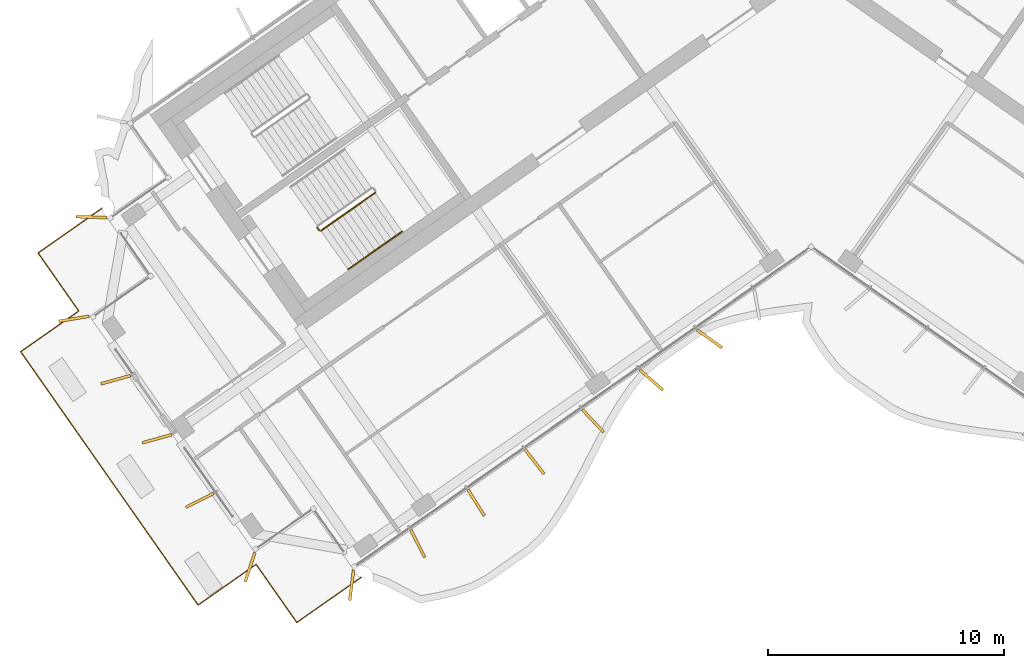
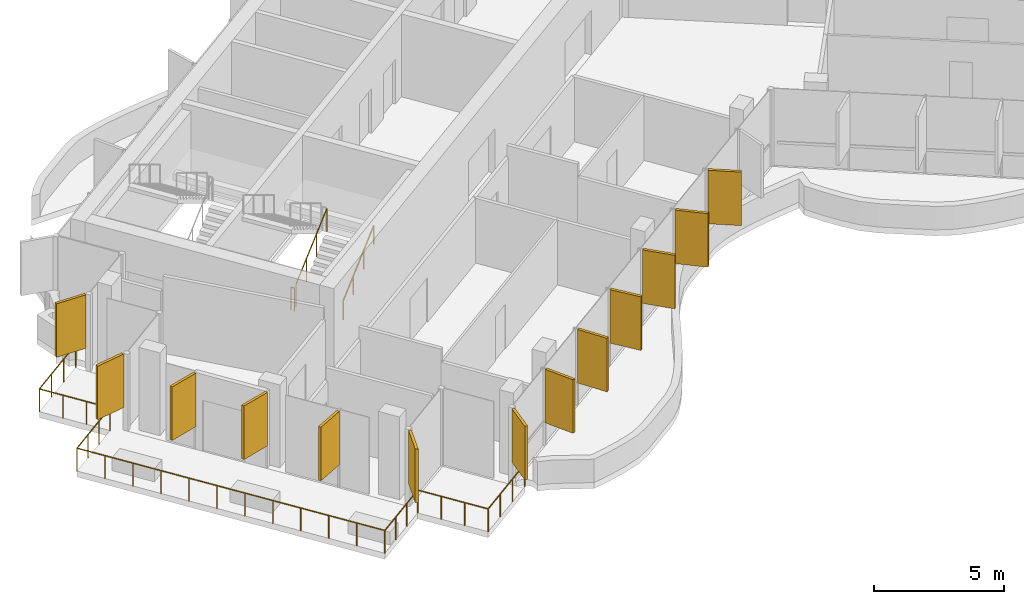
# One storey, part 13 of 18: 13 shading devices, 4 railings.
"""IFC4 building model written with IfcOpenShell, lengths in metres."""

import ifcopenshell
import ifcopenshell.guid

model = None  # the IFC model being written
_history = None  # IfcOwnerHistory: only IFC2X3 demands one
_inside = {}  # id of a spatial element -> (the spatial element, [elements in it])
_under = {}  # id of a project, library or spatial element -> (it, [spatial elements below it])
_declared = {}  # id of a project -> (the project, [libraries it declares])
_typed = {}  # id of a type object -> (the type object, [elements of that type])
_made_of = {}  # id of a material, layer set ... -> (it, [elements and type objects made of it])


def new_model(schema):
    """Start an empty IFC model of exactly this schema.

    Asked for "IFC4X3", IfcOpenShell would pick the latest addendum, in which some entities
    have other attributes; the version numbers below select the first issue.
    IFC2X3 requires an IfcOwnerHistory on every rooted entity: one is made here for all.
    """
    global model, _history
    if schema == "IFC4X3":
        model = ifcopenshell.file(schema_version=(4, 3, 0, 0))
    else:
        model = ifcopenshell.file(schema=schema)
    _inside.clear()
    _under.clear()
    _declared.clear()
    _typed.clear()
    _made_of.clear()
    _history = None
    if model.schema == "IFC2X3":
        org = make("IfcOrganization", Name="unknown")
        user = make(
            "IfcPersonAndOrganization",
            ThePerson=make("IfcPerson", FamilyName="unknown"),
            TheOrganization=org,
        )
        app = make(
            "IfcApplication",
            ApplicationDeveloper=org,
            Version="unknown",
            ApplicationFullName="unknown",
            ApplicationIdentifier="unknown",
        )
        _history = make(
            "IfcOwnerHistory",
            OwningUser=user,
            OwningApplication=app,
            ChangeAction="ADDED",
            CreationDate=0,
        )
    return model


def make(cls, **values):
    """One entity of the class cls with the attributes given. An attribute that is None is left unset."""
    return model.create_entity(
        cls, **{name: value for name, value in values.items() if value is not None}
    )


def rooted(cls, **values):
    """An entity with a GlobalId (a new one), such as an element, a storey or a relation."""
    return make(cls, GlobalId=ifcopenshell.guid.new(), OwnerHistory=_history, **values)


def si_unit(unit_type, name, prefix=None):
    """IfcSIUnit, for example si_unit("LENGTHUNIT", "METRE", prefix="MILLI")."""
    return make("IfcSIUnit", UnitType=unit_type, Prefix=prefix, Name=name)


def assignment(units):
    """IfcUnitAssignment: the units of a project."""
    return None if units is None else make("IfcUnitAssignment", Units=units)


def point(xyz):
    """IfcCartesianPoint."""
    return None if xyz is None else make("IfcCartesianPoint", Coordinates=xyz)


def direction(xyz):
    """IfcDirection."""
    return None if xyz is None else make("IfcDirection", DirectionRatios=xyz)


def frame(location, z_axis=None, x_axis=None):
    """IfcAxis2Placement3D, a coordinate frame: its origin and axes. An axis left out is left unset."""
    return make(
        "IfcAxis2Placement3D",
        Location=point(location),
        Axis=direction(z_axis),
        RefDirection=direction(x_axis),
    )


def frame_2d(location, x_axis=None):
    """IfcAxis2Placement2D, a coordinate frame in the plane: its origin and x axis."""
    return make(
        "IfcAxis2Placement2D", Location=point(location), RefDirection=direction(x_axis)
    )


def origin():
    """The frame at (0, 0, 0) with its axes left unset."""
    return frame((0.0, 0.0, 0.0))


def origin_2d():
    """The frame at (0, 0) in the plane with its x axis left unset."""
    return frame_2d((0.0, 0.0))


def place(relative_to, where):
    """IfcLocalPlacement: puts the frame where relative to a parent placement (None: the world)."""
    return make(
        "IfcLocalPlacement", PlacementRelTo=relative_to, RelativePlacement=where
    )


def context(
    kind, dimensions, precision=None, world=None, true_north=None, identifier=None
):
    """IfcGeometricRepresentationContext, for example the 3D "Model" context."""
    return make(
        "IfcGeometricRepresentationContext",
        ContextIdentifier=identifier,
        ContextType=kind,
        CoordinateSpaceDimension=dimensions,
        Precision=precision,
        WorldCoordinateSystem=world,
        TrueNorth=true_north,
    )


def subcontext(parent, identifier, kind, view, scale=None):
    """IfcGeometricRepresentationSubContext, for example "Body" below "Model"."""
    return make(
        "IfcGeometricRepresentationSubContext",
        ContextIdentifier=identifier,
        ContextType=kind,
        ParentContext=parent,
        TargetScale=scale,
        TargetView=view,
    )


def project(units=None, contexts=None):
    """IfcProject with its units and contexts."""
    return rooted(
        "IfcProject",
        Name="project",
        RepresentationContexts=contexts,
        UnitsInContext=assignment(units),
    )


def spatial(cls, under=None, at=None, **own):
    """A site, building, storey or space (cls), placed at a placement, below another one or the project."""
    s = rooted(cls, ObjectPlacement=at, **own)
    if under is not None:
        _under.setdefault(under.id(), (under, []))[1].append(s)
    return s


def profile(cls, at=None, kind="AREA", **sizes):
    """A parametric profile (cls). Its sizes go by their IFC names, for example OverallWidth=200.0."""
    return make(cls, ProfileType=kind, Position=at, **sizes)


def rectangle(**sizes):
    """IfcRectangleProfileDef."""
    return profile("IfcRectangleProfileDef", **sizes)


def circle(**sizes):
    """IfcCircleProfileDef."""
    return profile("IfcCircleProfileDef", **sizes)


def extrude(swept, where, along, depth):
    """IfcExtrudedAreaSolid: the profile swept, set in the frame where, extruded along a direction by depth."""
    return make(
        "IfcExtrudedAreaSolid",
        SweptArea=swept,
        Position=where,
        ExtrudedDirection=direction(along),
        Depth=depth,
    )


def shape(context_of_items, identifier, shape_type, items):
    """IfcShapeRepresentation: the items that make up one representation, for example the "Body"."""
    return make(
        "IfcShapeRepresentation",
        ContextOfItems=context_of_items,
        RepresentationIdentifier=identifier,
        RepresentationType=shape_type,
        Items=items,
    )


def material(Name=None, Category=None):
    """IfcMaterial."""
    return make("IfcMaterial", Name=Name, Category=Category)


def layer(
    of_material, thickness, ventilated=None, Name=None, Category=None, Priority=None
):
    """IfcMaterialLayer: one layer of a wall or slab, of a material (None: an air gap)."""
    return make(
        "IfcMaterialLayer",
        Material=of_material,
        LayerThickness=thickness,
        IsVentilated=ventilated,
        Name=Name,
        Category=Category,
        Priority=Priority,
    )


def layer_set(layers, Name=None):
    """IfcMaterialLayerSet."""
    return make("IfcMaterialLayerSet", MaterialLayers=layers, LayerSetName=Name)


def made_of(thing, what):
    """Note that an element or type object is made of a material, layer set ...; save() writes the relation."""
    if what is not None:
        _made_of.setdefault(what.id(), (what, []))[1].append(thing)
    return thing


def type_object(cls, material=None, **own):
    """A type object (cls), such as IfcWallType, which elements share."""
    return made_of(rooted(cls, **own), material)


def element(
    cls,
    number,
    at=None,
    inside=None,
    cuts=None,
    type_object=None,
    material=None,
    context=None,
    identifier="Body",
    shape_type=None,
    held_by="IfcProductDefinitionShape",
    body=None,
    shapes=None,
    **own,
):
    """One element of the class cls, such as IfcWall. Its Tag is "e" and its number.

    at: its placement. inside: the storey or other place that contains it. cuts: it is an
    opening in that element (IfcRelVoidsElement). A single representation is given by context,
    identifier, shape_type and body (its items); several are given by shapes. held_by: the class
    of the entity that holds the representations. save() writes the other relations.
    """
    e = rooted(cls, Tag="e%d" % number, ObjectPlacement=at, **own)
    if body is not None:
        shapes = [shape(context, identifier, shape_type, body)]
    if shapes is not None:
        e.Representation = make(held_by, Representations=shapes)
    if inside is not None:
        _inside.setdefault(inside.id(), (inside, []))[1].append(e)
    if cuts is not None:
        rooted(
            "IfcRelVoidsElement", RelatingBuildingElement=cuts, RelatedOpeningElement=e
        )
    if type_object is not None:
        _typed.setdefault(type_object.id(), (type_object, []))[1].append(e)
    return made_of(e, material)


def aggregate(whole, parts):
    """IfcRelAggregates: a whole, such as a stair, and the parts it consists of."""
    return rooted("IfcRelAggregates", RelatingObject=whole, RelatedObjects=parts)


def save(model, path):
    """Write the relations noted so far, then the file.

    IfcRelAggregates (storeys below a building ...), IfcRelContainedInSpatialStructure (elements
    in a storey), IfcRelDefinesByType, IfcRelAssociatesMaterial and IfcRelDeclares: one each for
    every whole, place, type object, material and project.
    """
    for whole, parts in _under.values():
        aggregate(whole, parts)
    for where, things in _inside.values():
        rooted(
            "IfcRelContainedInSpatialStructure",
            RelatedElements=things,
            RelatingStructure=where,
        )
    for kind, things in _typed.values():
        rooted("IfcRelDefinesByType", RelatedObjects=things, RelatingType=kind)
    for what, things in _made_of.values():
        rooted("IfcRelAssociatesMaterial", RelatedObjects=things, RelatingMaterial=what)
    for by, libraries in _declared.values():
        rooted("IfcRelDeclares", RelatingContext=by, RelatedDefinitions=libraries)
    model.write(path)


model = new_model("IFC4")

# Units and contexts
model_context = context("Model", 3, precision=1e-05, world=origin(), true_north=direction((0.0, 1.0)))
body_context = subcontext(model_context, "Body", "Model", "MODEL_VIEW")
ifc_project = project(units=[si_unit("LENGTHUNIT", "METRE"), si_unit("AREAUNIT", "SQUARE_METRE"), si_unit("VOLUMEUNIT", "CUBIC_METRE"), si_unit("PLANEANGLEUNIT", "RADIAN"), si_unit("MASSUNIT", "GRAM", prefix="KILO")], contexts=[model_context])

# Site, building, storey
site_placement = place(None, origin())
site = spatial("IfcSite", under=ifc_project, at=site_placement, CompositionType="ELEMENT")
building_placement = place(site_placement, origin())
building = spatial("IfcBuilding", under=site, at=building_placement, Name="Tel Ilan Convention Tower", CompositionType="ELEMENT")
storey_placement = place(building_placement, frame((0.0, 0.0, 295.60009765625)))
storey = spatial("IfcBuildingStorey", under=building, at=storey_placement, Name="L70", CompositionType="ELEMENT", Elevation=295.60009765625)

# Shading devices
ifc_material_1 = material(Name="Aluminium, bronze anodised", Category="aluminium")
ifc_layer = layer(ifc_material_1, 0.1201171875)
ifc_layer_set = layer_set([ifc_layer], Name="FIN BRONZE 1300x120")
shading_device_type = type_object("IfcShadingDeviceType", Name="FIN BRONZE 1300x120", PredefinedType="USERDEFINED", material=ifc_layer_set)
for number, where, z_axis, x_axis, name in (
    (1, (-30.468017578125, -11.453125, 1.099853515625), (0.0, 0.0, 1.0), (-0.999576950082, 0.029084718749, 0.0), "FIN"),
    (2, (-31.207275390625, -15.7548828125, 1.099853515625), (0.0, 0.0, 1.0), (-0.986445172547, -0.16409119891, 0.0), "FIN"),
    (3, (-29.439697265625, -18.33544921875, 1.099853515625), (0.0, 0.0, 1.0), (-0.963370878614, -0.268172612768, 0.0), "FIN"),
    (4, (-27.690185546875, -20.833984375, 1.099853515625), (0.0, 0.0, 1.0), (-0.963370878614, -0.268172612768, 0.0), "FIN"),
    (5, (-25.88623046875, -23.443359375, 1.099853515625), (0.0, 0.0, 1.0), (-0.893632640321, -0.448799180206, 0.0), "FIN"),
    (6, (-23.755126953125, -26.270263671875, 1.099853515625), (0.0, 0.0, 1.0), (-0.314544756146, -0.949242643575, 0.0), "FIN"),
    (7, (-19.453369140625, -27.029296875, 1.099853515625), (0.0, 0.0, 1.0), (-0.125718016748, -0.992066016082, 0.0), "FIN"),
    (8, (-16.6533203125, -25.274169921875, 1.099853515625), (0.0, 0.0, 1.0), (0.448799180206, -0.893632640321, 0.0), "FIN"),
    (9, (-14.180419921875, -23.54296875, 1.099853515625), (0.0, 0.0, 1.0), (0.533204432798, -0.845986425922, 0.0), "FIN"),
    (10, (-11.70751953125, -21.811279296875, 1.099853515625), (0.0, 0.0, 1.0), (0.612600545196, -0.790392669516, 0.0), "FIN"),
    (11, (-9.23486328125, -20.07958984375, 1.099853515625), (0.0, 0.0, 1.0), (0.686241637865, -0.727373641577, 0.0), "FIN"),
    (12, (-6.766357421875, -18.34326171875, 1.099853515625), (0.0, 0.0, 1.0), (0.753435896329, -0.657521368568, 0.0), "FIN"),
    (13, (-4.302734375, -16.60302734375, 1.099853515625), (0.0, 0.0, 1.0), (0.813552070258, -0.581492071294, 0.0), "FIN"),
):
    element("IfcShadingDevice", number, at=place(storey_placement, frame(where, z_axis=z_axis, x_axis=x_axis)), inside=storey, type_object=shading_device_type, Name=name, ObjectType="FIN", PredefinedType="USERDEFINED", context=body_context, shape_type="SweptSolid", body=[
        extrude(rectangle(XDim=1.300048828125, YDim=0.1201171875, at=origin_2d()), origin(), (0.0, 0.0, 1.0), 2.52001953125),
    ])

# Railings
ifc_material_2 = material(Name="Stainless Steel Grade 316", Category="steel")
railing_type_1 = type_object("IfcRailingType", Name="Stainless Steel Stair Guard 1100 mm", PredefinedType="GUARDRAIL", material=ifc_material_2)
railing_1_placement = place(storey_placement, frame((-20.753662109375, -12.029296875, 0.17724609375)))
element("IfcRailing", 14, at=railing_1_placement, inside=storey, type_object=railing_type_1, Name="L70 S2 stair guard 1", PredefinedType="GUARDRAIL", context=body_context, shape_type="SweptSolid", body=[
    extrude(circle(Radius=0.02392578125, at=origin_2d()), frame((0.0, 0.0, 1.076171875), z_axis=(0.692098378994, 0.484653031975, 0.534893701956), x_axis=(-0.573608623498, 0.819129505664, 0.0)), (0.0, 0.0, 1.0), 3.314208984375),
    extrude(circle(Radius=0.02099609375, at=origin_2d()), origin(), (0.0, 0.0, 1.0), 1.052001953125),
    extrude(circle(Radius=0.02099609375, at=origin_2d()), frame((0.7646484375, 0.535400390625, 0.5908203125)), (0.0, 0.0, 1.0), 1.052001953125),
    extrude(circle(Radius=0.02099609375, at=origin_2d()), frame((1.529052734375, 1.07080078125, 1.181884765625)), (0.0, 0.0, 1.0), 1.052001953125),
    extrude(circle(Radius=0.02099609375, at=origin_2d()), frame((2.293701171875, 1.606201171875, 1.772705078125)), (0.0, 0.0, 1.0), 1.052001953125),
])
railing_2_placement = place(storey_placement, frame((-20.8232421875, -12.016845703125, 0.0)))
element("IfcRailing", 15, at=railing_2_placement, inside=storey, type_object=railing_type_1, Name="L70 S2 stair guard 4", PredefinedType="GUARDRAIL", context=body_context, shape_type="SweptSolid", body=[
    extrude(circle(Radius=0.02392578125, at=origin_2d()), frame((0.0, 0.0, 1.076171875), z_axis=(-0.573353020881, 0.819308436089, 0.0), x_axis=(-0.819308436089, -0.573353020881, 0.0)), (0.0, 0.0, 1.0), 0.14990234375),
    extrude(circle(Radius=0.02099609375, at=origin_2d()), origin(), (0.0, 0.0, 1.0), 1.052001953125),
    extrude(circle(Radius=0.02099609375, at=origin_2d()), frame((-0.0859375, 0.122802734375, 0.0)), (0.0, 0.0, 1.0), 1.052001953125),
])
ifc_material_3 = material(Name="Stainless Steel Grade 316", Category="steel")
railing_type_2 = type_object("IfcRailingType", Name="Stainless Steel Stair Handrail 900 mm", PredefinedType="HANDRAIL", material=ifc_material_3)
railing_3_placement = place(storey_placement, frame((-19.6064453125, -13.66748046875, 0.17724609375)))
element("IfcRailing", 16, at=railing_3_placement, inside=storey, type_object=railing_type_2, Name="L70 S2 stair handrail 1", PredefinedType="HANDRAIL", context=body_context, shape_type="SweptSolid", body=[
    extrude(circle(Radius=0.02392578125, at=origin_2d()), frame((0.0, 0.0, 0.8759765625), z_axis=(0.692123088272, 0.484596665743, 0.534912798717), x_axis=(-0.573550118428, 0.819170471667, 0.0)), (0.0, 0.0, 1.0), 3.31396484375),
    extrude(circle(Radius=0.02099609375, at=origin_2d()), origin(), (0.0, 0.0, 1.0), 0.851806640625),
    extrude(circle(Radius=0.02099609375, at=origin_2d()), frame((0.7646484375, 0.535400390625, 0.5908203125)), (0.0, 0.0, 1.0), 0.851806640625),
    extrude(circle(Radius=0.02099609375, at=origin_2d()), frame((1.529052734375, 1.070556640625, 1.181884765625)), (0.0, 0.0, 1.0), 0.851806640625),
    extrude(circle(Radius=0.02099609375, at=origin_2d()), frame((2.293701171875, 1.60595703125, 1.772705078125)), (0.0, 0.0, 1.0), 0.851806640625),
])
ifc_material_4 = material(Name="Stainless steel S316", Category="steel")
railing_type_3 = type_object("IfcRailingType", Name="TERRACE GUARD 1100", PredefinedType="GUARDRAIL", material=ifc_material_4)
railing_4_placement = place(storey_placement, frame((-19.044189453125, -26.702392578125, 0.0)))
element("IfcRailing", 17, at=railing_4_placement, inside=storey, type_object=railing_type_3, Name="Terrace guard 53.01", PredefinedType="GUARDRAIL", context=body_context, shape_type="SweptSolid", body=[
    extrude(circle(Radius=0.02490234375, at=origin_2d()), frame((0.0, 0.0, 1.0751953125), z_axis=(-0.819159672646, -0.573565541775, 0.0), x_axis=(0.573565541775, -0.819159672646, 0.0)), (0.0, 0.0, 1.0), 3.334228515625),
    extrude(circle(Radius=0.02490234375, at=origin_2d()), frame((-2.731201171875, -1.912353515625, 1.0751953125), z_axis=(-0.573560650686, 0.819163097304, 0.0), x_axis=(-0.819163097304, -0.573560650686, 0.0)), (0.0, 0.0, 1.0), 3.0),
    extrude(circle(Radius=0.02490234375, at=origin_2d()), frame((-4.451904296875, 0.545166015625, 1.0751953125), z_axis=(-0.819163097304, -0.573560650686, 0.0), x_axis=(0.573560650686, -0.819163097304, 0.0)), (0.0, 0.0, 1.0), 3.0),
    extrude(circle(Radius=0.02490234375, at=origin_2d()), frame((-6.909423828125, -1.175537109375, 1.0751953125), z_axis=(-0.573573661009, 0.819153987598, 0.0), x_axis=(-0.819153987598, -0.573573661009, 0.0)), (0.0, 0.0, 1.0), 13.099853515625),
    extrude(circle(Radius=0.02490234375, at=origin_2d()), frame((-14.423095703125, 9.55517578125, 1.0751953125), z_axis=(0.819136323161, 0.573598887793, 0.0), x_axis=(-0.573598887793, 0.819136323161, 0.0)), (0.0, 0.0, 1.0), 2.999755859375),
    extrude(circle(Radius=0.02490234375, at=origin_2d()), frame((-11.9658203125, 11.27587890625, 1.0751953125), z_axis=(-0.573560650686, 0.819163097304, 0.0), x_axis=(-0.819163097304, -0.573560650686, 0.0)), (0.0, 0.0, 1.0), 3.0),
    extrude(circle(Radius=0.02490234375, at=origin_2d()), frame((-13.6865234375, 13.7333984375, 1.0751953125), z_axis=(0.819135061816, 0.573600689072, 0.0), x_axis=(-0.573600689072, 0.819135061816, 0.0)), (0.0, 0.0, 1.0), 3.316162109375),
    extrude(circle(Radius=0.02490234375, at=origin_2d()), origin(), (0.0, 0.0, 1.0), 1.050048828125),
    extrude(circle(Radius=0.02490234375, at=origin_2d()), frame((-0.910400390625, -0.637451171875, 0.0)), (0.0, 0.0, 1.0), 1.050048828125),
    extrude(circle(Radius=0.02490234375, at=origin_2d()), frame((-1.82080078125, -1.27490234375, 0.0)), (0.0, 0.0, 1.0), 1.050048828125),
    extrude(circle(Radius=0.02490234375, at=origin_2d()), frame((-2.731201171875, -1.912353515625, 0.0)), (0.0, 0.0, 1.0), 1.050048828125),
    extrude(circle(Radius=0.02490234375, at=origin_2d()), frame((-3.3046875, -1.09326171875, 0.0)), (0.0, 0.0, 1.0), 1.050048828125),
    extrude(circle(Radius=0.02490234375, at=origin_2d()), frame((-3.87841796875, -0.27392578125, 0.0)), (0.0, 0.0, 1.0), 1.050048828125),
    extrude(circle(Radius=0.02490234375, at=origin_2d()), frame((-4.451904296875, 0.545166015625, 0.0)), (0.0, 0.0, 1.0), 1.050048828125),
    extrude(circle(Radius=0.02490234375, at=origin_2d()), frame((-5.27099609375, -0.0283203125, 0.0)), (0.0, 0.0, 1.0), 1.050048828125),
    extrude(circle(Radius=0.02490234375, at=origin_2d()), frame((-6.09033203125, -0.60205078125, 0.0)), (0.0, 0.0, 1.0), 1.050048828125),
    extrude(circle(Radius=0.02490234375, at=origin_2d()), frame((-6.909423828125, -1.175537109375, 0.0)), (0.0, 0.0, 1.0), 1.050048828125),
    extrude(circle(Radius=0.02490234375, at=origin_2d()), frame((-7.592529296875, -0.199951171875, 0.0)), (0.0, 0.0, 1.0), 1.050048828125),
    extrude(circle(Radius=0.02490234375, at=origin_2d()), frame((-8.275634765625, 0.775390625, 0.0)), (0.0, 0.0, 1.0), 1.050048828125),
    extrude(circle(Radius=0.02490234375, at=origin_2d()), frame((-8.95849609375, 1.7509765625, 0.0)), (0.0, 0.0, 1.0), 1.050048828125),
    extrude(circle(Radius=0.02490234375, at=origin_2d()), frame((-9.6416015625, 2.7265625, 0.0)), (0.0, 0.0, 1.0), 1.050048828125),
    extrude(circle(Radius=0.02490234375, at=origin_2d()), frame((-10.32470703125, 3.7021484375, 0.0)), (0.0, 0.0, 1.0), 1.050048828125),
    extrude(circle(Radius=0.02490234375, at=origin_2d()), frame((-11.0078125, 4.677490234375, 0.0)), (0.0, 0.0, 1.0), 1.050048828125),
    extrude(circle(Radius=0.02490234375, at=origin_2d()), frame((-11.69091796875, 5.653076171875, 0.0)), (0.0, 0.0, 1.0), 1.050048828125),
    extrude(circle(Radius=0.02490234375, at=origin_2d()), frame((-12.3740234375, 6.628662109375, 0.0)), (0.0, 0.0, 1.0), 1.050048828125),
    extrude(circle(Radius=0.02490234375, at=origin_2d()), frame((-13.056884765625, 7.604248046875, 0.0)), (0.0, 0.0, 1.0), 1.050048828125),
    extrude(circle(Radius=0.02490234375, at=origin_2d()), frame((-13.739990234375, 8.57958984375, 0.0)), (0.0, 0.0, 1.0), 1.050048828125),
    extrude(circle(Radius=0.02490234375, at=origin_2d()), frame((-14.423095703125, 9.55517578125, 0.0)), (0.0, 0.0, 1.0), 1.050048828125),
    extrude(circle(Radius=0.02490234375, at=origin_2d()), frame((-13.60400390625, 10.128662109375, 0.0)), (0.0, 0.0, 1.0), 1.050048828125),
    extrude(circle(Radius=0.02490234375, at=origin_2d()), frame((-12.784912109375, 10.702392578125, 0.0)), (0.0, 0.0, 1.0), 1.050048828125),
    extrude(circle(Radius=0.02490234375, at=origin_2d()), frame((-11.9658203125, 11.27587890625, 0.0)), (0.0, 0.0, 1.0), 1.050048828125),
    extrude(circle(Radius=0.02490234375, at=origin_2d()), frame((-12.539306640625, 12.094970703125, 0.0)), (0.0, 0.0, 1.0), 1.050048828125),
    extrude(circle(Radius=0.02490234375, at=origin_2d()), frame((-13.113037109375, 12.914306640625, 0.0)), (0.0, 0.0, 1.0), 1.050048828125),
    extrude(circle(Radius=0.02490234375, at=origin_2d()), frame((-13.6865234375, 13.7333984375, 0.0)), (0.0, 0.0, 1.0), 1.050048828125),
    extrude(circle(Radius=0.02490234375, at=origin_2d()), frame((-12.781005859375, 14.367431640625, 0.0)), (0.0, 0.0, 1.0), 1.050048828125),
    extrude(circle(Radius=0.02490234375, at=origin_2d()), frame((-11.875732421875, 15.00146484375, 0.0)), (0.0, 0.0, 1.0), 1.050048828125),
    extrude(circle(Radius=0.02490234375, at=origin_2d()), frame((-10.97021484375, 15.635498046875, 0.0)), (0.0, 0.0, 1.0), 1.050048828125),
])

save(model, "model.ifc")
